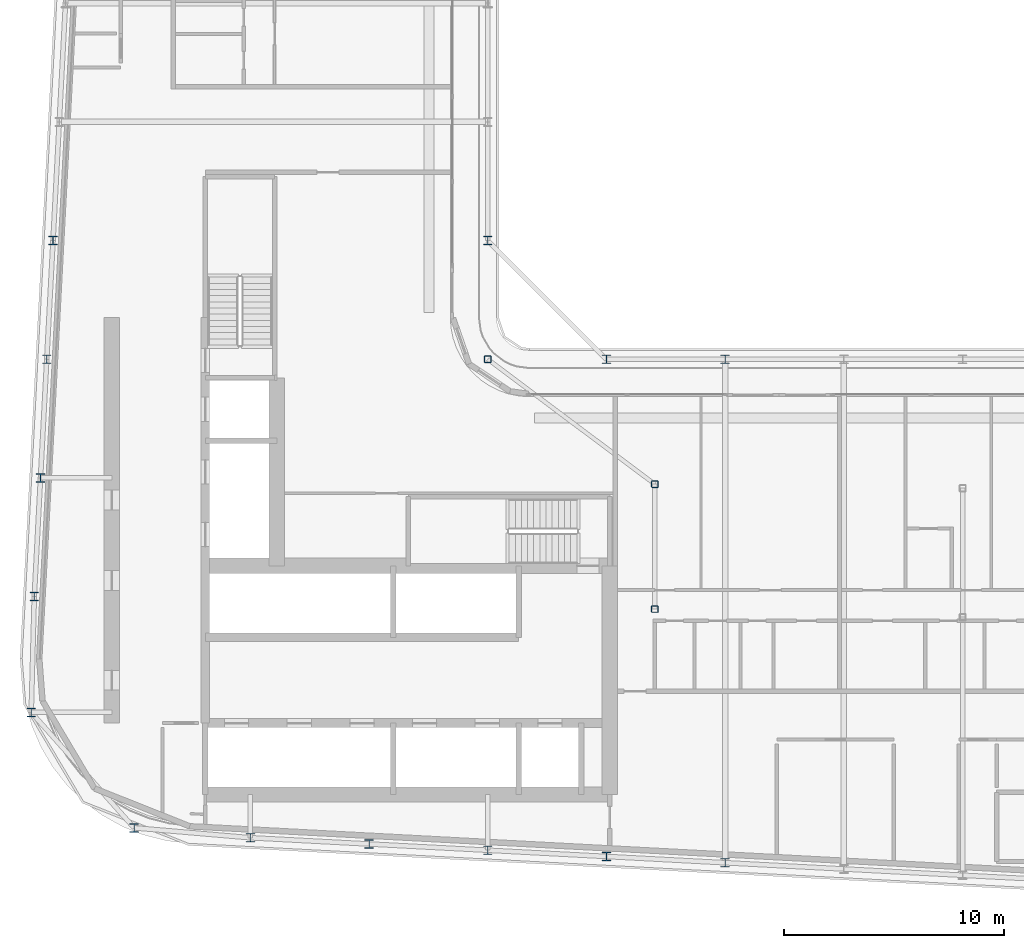
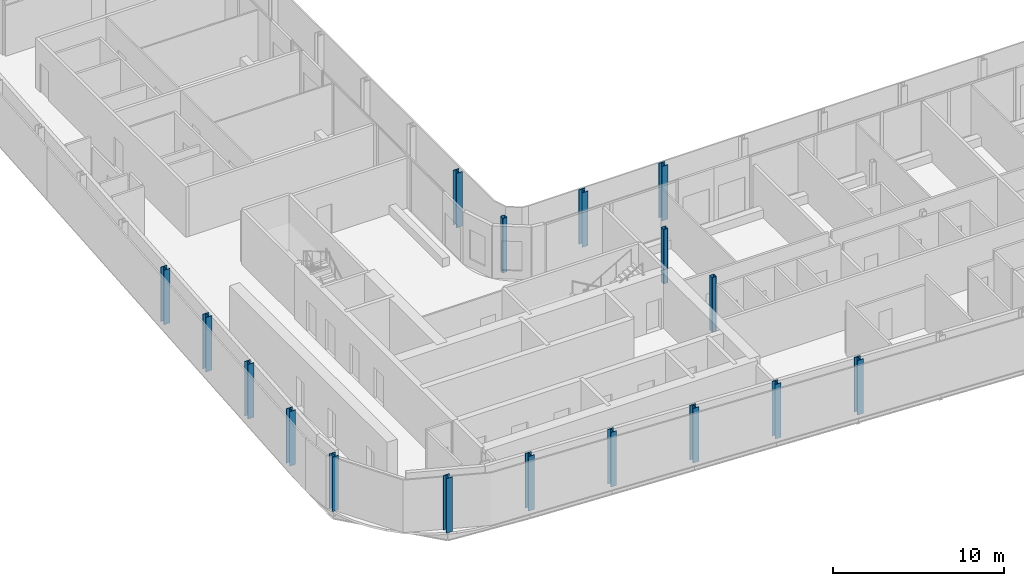
# One storey, part 1 of 23: 17 columns.
"""IFC4 building model written with IfcOpenShell, lengths in metres."""

import ifcopenshell
import ifcopenshell.guid

model = None  # the IFC model being written
_history = None  # IfcOwnerHistory: only IFC2X3 demands one
_inside = {}  # id of a spatial element -> (the spatial element, [elements in it])
_under = {}  # id of a project, library or spatial element -> (it, [spatial elements below it])
_declared = {}  # id of a project -> (the project, [libraries it declares])
_typed = {}  # id of a type object -> (the type object, [elements of that type])
_made_of = {}  # id of a material, layer set ... -> (it, [elements and type objects made of it])


def new_model(schema):
    """Start an empty IFC model of exactly this schema.

    Asked for "IFC4X3", IfcOpenShell would pick the latest addendum, in which some entities
    have other attributes; the version numbers below select the first issue.
    IFC2X3 requires an IfcOwnerHistory on every rooted entity: one is made here for all.
    """
    global model, _history
    if schema == "IFC4X3":
        model = ifcopenshell.file(schema_version=(4, 3, 0, 0))
    else:
        model = ifcopenshell.file(schema=schema)
    _inside.clear()
    _under.clear()
    _declared.clear()
    _typed.clear()
    _made_of.clear()
    _history = None
    if model.schema == "IFC2X3":
        org = make("IfcOrganization", Name="unknown")
        user = make(
            "IfcPersonAndOrganization",
            ThePerson=make("IfcPerson", FamilyName="unknown"),
            TheOrganization=org,
        )
        app = make(
            "IfcApplication",
            ApplicationDeveloper=org,
            Version="unknown",
            ApplicationFullName="unknown",
            ApplicationIdentifier="unknown",
        )
        _history = make(
            "IfcOwnerHistory",
            OwningUser=user,
            OwningApplication=app,
            ChangeAction="ADDED",
            CreationDate=0,
        )
    return model


def make(cls, **values):
    """One entity of the class cls with the attributes given. An attribute that is None is left unset."""
    return model.create_entity(
        cls, **{name: value for name, value in values.items() if value is not None}
    )


def rooted(cls, **values):
    """An entity with a GlobalId (a new one), such as an element, a storey or a relation."""
    return make(cls, GlobalId=ifcopenshell.guid.new(), OwnerHistory=_history, **values)


def si_unit(unit_type, name, prefix=None):
    """IfcSIUnit, for example si_unit("LENGTHUNIT", "METRE", prefix="MILLI")."""
    return make("IfcSIUnit", UnitType=unit_type, Prefix=prefix, Name=name)


def assignment(units):
    """IfcUnitAssignment: the units of a project."""
    return None if units is None else make("IfcUnitAssignment", Units=units)


def point(xyz):
    """IfcCartesianPoint."""
    return None if xyz is None else make("IfcCartesianPoint", Coordinates=xyz)


def direction(xyz):
    """IfcDirection."""
    return None if xyz is None else make("IfcDirection", DirectionRatios=xyz)


def frame(location, z_axis=None, x_axis=None):
    """IfcAxis2Placement3D, a coordinate frame: its origin and axes. An axis left out is left unset."""
    return make(
        "IfcAxis2Placement3D",
        Location=point(location),
        Axis=direction(z_axis),
        RefDirection=direction(x_axis),
    )


def frame_2d(location, x_axis=None):
    """IfcAxis2Placement2D, a coordinate frame in the plane: its origin and x axis."""
    return make(
        "IfcAxis2Placement2D", Location=point(location), RefDirection=direction(x_axis)
    )


def origin():
    """The frame at (0, 0, 0) with its axes left unset."""
    return frame((0.0, 0.0, 0.0))


def origin_2d():
    """The frame at (0, 0) in the plane with its x axis left unset."""
    return frame_2d((0.0, 0.0))


def place(relative_to, where):
    """IfcLocalPlacement: puts the frame where relative to a parent placement (None: the world)."""
    return make(
        "IfcLocalPlacement", PlacementRelTo=relative_to, RelativePlacement=where
    )


def context(
    kind, dimensions, precision=None, world=None, true_north=None, identifier=None
):
    """IfcGeometricRepresentationContext, for example the 3D "Model" context."""
    return make(
        "IfcGeometricRepresentationContext",
        ContextIdentifier=identifier,
        ContextType=kind,
        CoordinateSpaceDimension=dimensions,
        Precision=precision,
        WorldCoordinateSystem=world,
        TrueNorth=true_north,
    )


def subcontext(parent, identifier, kind, view, scale=None):
    """IfcGeometricRepresentationSubContext, for example "Body" below "Model"."""
    return make(
        "IfcGeometricRepresentationSubContext",
        ContextIdentifier=identifier,
        ContextType=kind,
        ParentContext=parent,
        TargetScale=scale,
        TargetView=view,
    )


def project(units=None, contexts=None):
    """IfcProject with its units and contexts."""
    return rooted(
        "IfcProject",
        Name="project",
        RepresentationContexts=contexts,
        UnitsInContext=assignment(units),
    )


def spatial(cls, under=None, at=None, **own):
    """A site, building, storey or space (cls), placed at a placement, below another one or the project."""
    s = rooted(cls, ObjectPlacement=at, **own)
    if under is not None:
        _under.setdefault(under.id(), (under, []))[1].append(s)
    return s


def profile(cls, at=None, kind="AREA", **sizes):
    """A parametric profile (cls). Its sizes go by their IFC names, for example OverallWidth=200.0."""
    return make(cls, ProfileType=kind, Position=at, **sizes)


def hollow_rectangle(**sizes):
    """IfcRectangleHollowProfileDef."""
    return profile("IfcRectangleHollowProfileDef", **sizes)


def i_section(**sizes):
    """IfcIShapeProfileDef."""
    return profile("IfcIShapeProfileDef", **sizes)


def extrude(swept, where, along, depth):
    """IfcExtrudedAreaSolid: the profile swept, set in the frame where, extruded along a direction by depth."""
    return make(
        "IfcExtrudedAreaSolid",
        SweptArea=swept,
        Position=where,
        ExtrudedDirection=direction(along),
        Depth=depth,
    )


def shape(context_of_items, identifier, shape_type, items):
    """IfcShapeRepresentation: the items that make up one representation, for example the "Body"."""
    return make(
        "IfcShapeRepresentation",
        ContextOfItems=context_of_items,
        RepresentationIdentifier=identifier,
        RepresentationType=shape_type,
        Items=items,
    )


def material(Name=None, Category=None):
    """IfcMaterial."""
    return make("IfcMaterial", Name=Name, Category=Category)


def material_profile(
    of_material, cross_section, Name=None, Category=None, Priority=None
):
    """IfcMaterialProfile: a cross section and its material."""
    return make(
        "IfcMaterialProfile",
        Name=Name,
        Material=of_material,
        Profile=cross_section,
        Priority=Priority,
        Category=Category,
    )


def profile_set(profiles, Name=None, composite=None):
    """IfcMaterialProfileSet."""
    return make(
        "IfcMaterialProfileSet",
        Name=Name,
        MaterialProfiles=profiles,
        CompositeProfile=composite,
    )


def made_of(thing, what):
    """Note that an element or type object is made of a material, layer set ...; save() writes the relation."""
    if what is not None:
        _made_of.setdefault(what.id(), (what, []))[1].append(thing)
    return thing


def type_object(cls, material=None, **own):
    """A type object (cls), such as IfcWallType, which elements share."""
    return made_of(rooted(cls, **own), material)


def element(
    cls,
    number,
    at=None,
    inside=None,
    cuts=None,
    type_object=None,
    material=None,
    context=None,
    identifier="Body",
    shape_type=None,
    held_by="IfcProductDefinitionShape",
    body=None,
    shapes=None,
    **own,
):
    """One element of the class cls, such as IfcWall. Its Tag is "e" and its number.

    at: its placement. inside: the storey or other place that contains it. cuts: it is an
    opening in that element (IfcRelVoidsElement). A single representation is given by context,
    identifier, shape_type and body (its items); several are given by shapes. held_by: the class
    of the entity that holds the representations. save() writes the other relations.
    """
    e = rooted(cls, Tag="e%d" % number, ObjectPlacement=at, **own)
    if body is not None:
        shapes = [shape(context, identifier, shape_type, body)]
    if shapes is not None:
        e.Representation = make(held_by, Representations=shapes)
    if inside is not None:
        _inside.setdefault(inside.id(), (inside, []))[1].append(e)
    if cuts is not None:
        rooted(
            "IfcRelVoidsElement", RelatingBuildingElement=cuts, RelatedOpeningElement=e
        )
    if type_object is not None:
        _typed.setdefault(type_object.id(), (type_object, []))[1].append(e)
    return made_of(e, material)


def aggregate(whole, parts):
    """IfcRelAggregates: a whole, such as a stair, and the parts it consists of."""
    return rooted("IfcRelAggregates", RelatingObject=whole, RelatedObjects=parts)


def save(model, path):
    """Write the relations noted so far, then the file.

    IfcRelAggregates (storeys below a building ...), IfcRelContainedInSpatialStructure (elements
    in a storey), IfcRelDefinesByType, IfcRelAssociatesMaterial and IfcRelDeclares: one each for
    every whole, place, type object, material and project.
    """
    for whole, parts in _under.values():
        aggregate(whole, parts)
    for where, things in _inside.values():
        rooted(
            "IfcRelContainedInSpatialStructure",
            RelatedElements=things,
            RelatingStructure=where,
        )
    for kind, things in _typed.values():
        rooted("IfcRelDefinesByType", RelatedObjects=things, RelatingType=kind)
    for what, things in _made_of.values():
        rooted("IfcRelAssociatesMaterial", RelatedObjects=things, RelatingMaterial=what)
    for by, libraries in _declared.values():
        rooted("IfcRelDeclares", RelatingContext=by, RelatedDefinitions=libraries)
    model.write(path)


model = new_model("IFC4")

# Units and contexts
model_context = context("Model", 3, precision=1e-05, world=origin(), true_north=direction((0.0, 1.0)))
body_context = subcontext(model_context, "Body", "Model", "MODEL_VIEW")
ifc_project = project(units=[si_unit("LENGTHUNIT", "METRE"), si_unit("AREAUNIT", "SQUARE_METRE"), si_unit("VOLUMEUNIT", "CUBIC_METRE"), si_unit("PLANEANGLEUNIT", "RADIAN"), si_unit("MASSUNIT", "GRAM", prefix="KILO")], contexts=[model_context])

# Site, building, storey
site_placement = place(None, origin())
site = spatial("IfcSite", under=ifc_project, at=site_placement, CompositionType="ELEMENT")
building_placement = place(site_placement, origin())
building = spatial("IfcBuilding", under=site, at=building_placement, Name="Kheshtan School and Residences Tower", CompositionType="ELEMENT")
storey_placement = place(building_placement, frame((0.0, 0.0, 247.39990234375)))
storey = spatial("IfcBuildingStorey", under=building, at=storey_placement, Name="L58", CompositionType="ELEMENT", Elevation=247.39990234375)

# Columns
ifc_material_1 = material(Name="Steel ASTM A992 Grade 50", Category="steel")
ifc_material_profile_1 = material_profile(ifc_material_1, i_section(OverallWidth=0.404052734375, OverallDepth=0.406982421875, WebThickness=0.027099609375, FlangeThickness=0.043701171875, FilletRadius=0.01220703125, at=origin_2d()), Name="W360x347")
ifc_profile_set_1 = profile_set([ifc_material_profile_1], Name="Steel ASTM A992 Grade 50")
column_type_1 = type_object("IfcColumnType", Name="Column C4 W360x347 ASTM A992 Grade 50", PredefinedType="COLUMN", material=ifc_profile_set_1)
for number, where, z_axis, x_axis, name in (
    (1, (58.39990234375, 22.695068359375, 0.0), (0.0, 0.0, 1.0), (1.0, 0.0, 0.0), "Column C018"),
    (2, (53.0, 22.97998046875, 0.0), (0.0, 0.0, 1.0), (1.0, 0.0, 0.0), "Column C019"),
    (3, (47.60009765625, 23.263916015625, 0.0), (0.0, 0.0, 1.0), (1.0, 0.0, 0.0), "Column C020"),
    (4, (42.199951171875, 23.548095703125, 0.0), (0.0, 0.0, 1.0), (1.0, 0.0, 0.0), "Column C021"),
    (5, (36.800048828125, 23.83203125, 0.0), (0.0, 0.0, 1.0), (1.0, 0.0, 0.0), "Column C022"),
    (6, (31.510009765625, 24.282958984375, 0.0), (0.0, 0.0, 1.0), (1.0, 0.0, 0.0), "Column C030"),
    (7, (26.830078125, 29.5380859375, 0.0), (0.0, 0.0, 1.0), (1.0, 0.0, 0.0), "Column C043"),
    (8, (26.968994140625, 34.800048828125, 0.0), (0.0, 0.0, 1.0), (1.0, 0.0, 0.0), "Column C052"),
    (9, (27.2529296875, 40.199951171875, 0.0), (0.0, 0.0, 1.0), (1.0, 0.0, 0.0), "Column C056"),
    (10, (27.537109375, 45.60009765625, 0.0), (0.0, 0.0, 1.0), (1.0, 0.0, 0.0), "Column C059"),
    (11, (53.0, 45.60009765625, 0.0), (0.0, 0.0, 1.0), (1.0, 0.0, 0.0), "Column C061"),
    (12, (58.39990234375, 45.60009765625, 0.0), (0.0, 0.0, 1.0), (1.0, 0.0, 0.0), "Column C062"),
    (13, (27.822021484375, 51.0, 0.0), (0.0, 0.0, 1.0), (1.0, 0.0, 0.0), "Column C078"),
    (14, (47.60009765625, 51.0, 0.0), (0.0, 0.0, 1.0), (1.0, 0.0, 0.0), "Column C079"),
):
    element("IfcColumn", number, at=place(storey_placement, frame(where, z_axis=z_axis, x_axis=x_axis)), inside=storey, type_object=column_type_1, Name=name, PredefinedType="COLUMN", context=body_context, shape_type="SweptSolid", body=[
        extrude(i_section(OverallWidth=0.404052734375, OverallDepth=0.406982421875, WebThickness=0.027099609375, FlangeThickness=0.043701171875, FilletRadius=0.01220703125, at=origin_2d()), origin(), (0.0, 0.0, 1.0), 3.900146484375),
    ])
ifc_material_2 = material(Name="Steel ASTM A500 Grade C", Category="steel")
ifc_material_profile_2 = material_profile(ifc_material_2, hollow_rectangle(XDim=0.304931640625, YDim=0.304931640625, WallThickness=0.015869140625, InnerFilletRadius=0.015869140625, OuterFilletRadius=0.03173828125, at=origin_2d()), Name="HSS 305x305x15.9")
ifc_profile_set_2 = profile_set([ifc_material_profile_2], Name="Steel ASTM A500 Grade C")
column_type_2 = type_object("IfcColumnType", Name="Column IC2 HSS 305x305x15.9 ASTM A500 Grade C", PredefinedType="COLUMN", material=ifc_profile_set_2)
for number, where, z_axis, x_axis, name in (
    (15, (55.199951171875, 34.23193359375, 0.0), (0.0, 0.0, 1.0), (1.0, 0.0, 0.0), "Column C051"),
    (16, (55.199951171875, 39.916015625, 0.0), (0.0, 0.0, 1.0), (1.0, 0.0, 0.0), "Column C055"),
    (17, (47.60009765625, 45.60009765625, 0.0), (0.0, 0.0, 1.0), (1.0, 0.0, 0.0), "Column C060"),
):
    element("IfcColumn", number, at=place(storey_placement, frame(where, z_axis=z_axis, x_axis=x_axis)), inside=storey, type_object=column_type_2, Name=name, PredefinedType="COLUMN", context=body_context, shape_type="SweptSolid", body=[
        extrude(hollow_rectangle(XDim=0.304931640625, YDim=0.304931640625, WallThickness=0.015869140625, InnerFilletRadius=0.015869140625, OuterFilletRadius=0.03173828125, at=origin_2d()), origin(), (0.0, 0.0, 1.0), 3.900146484375),
    ])

save(model, "model.ifc")
